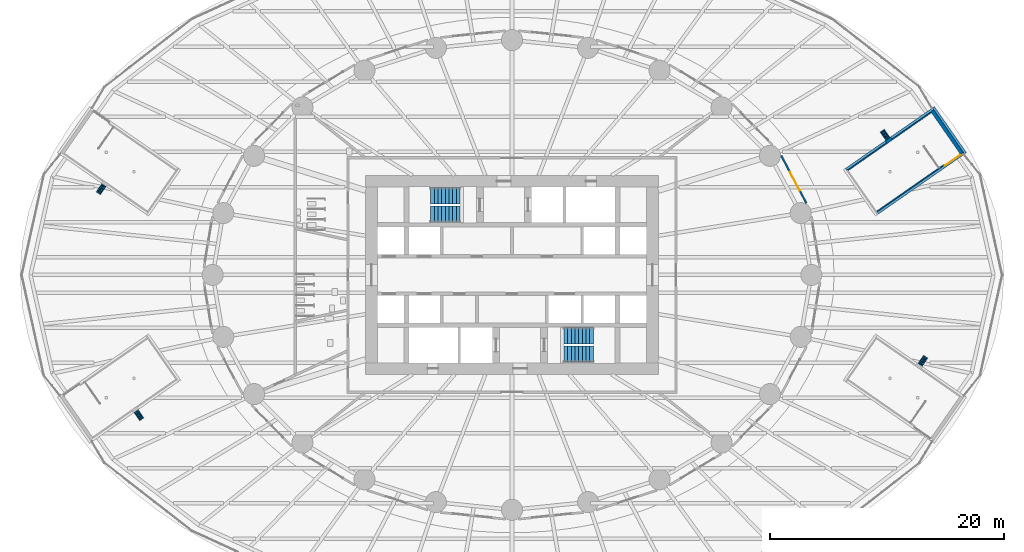
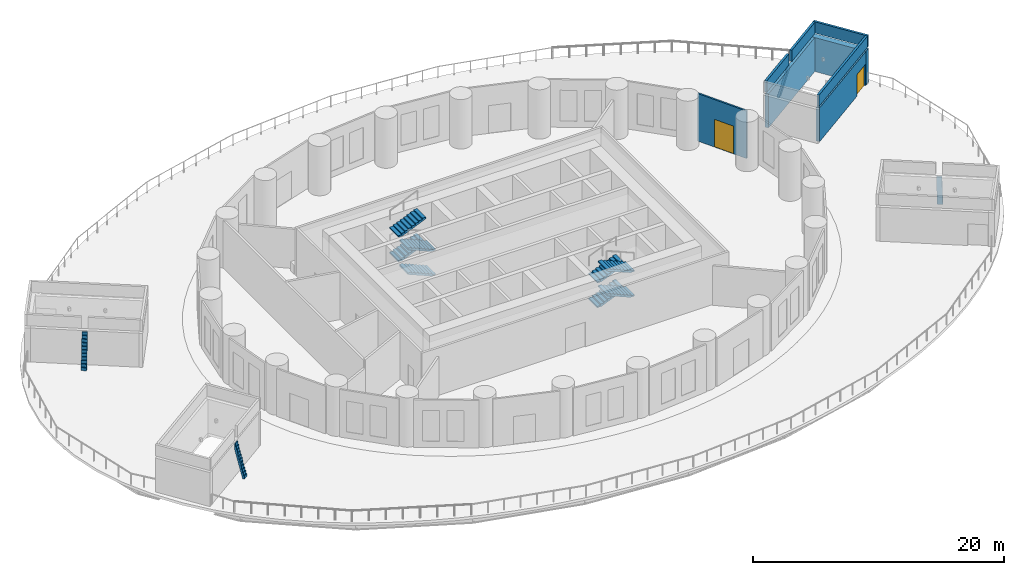
# One storey, part 11 of 17: 12 stair flights, 8 walls, 2 doors, 2 openings, 6 elements without a shape of their own.
"""IFC4 building model written with IfcOpenShell, lengths in metres."""

from ifc_helpers import new_model, si_unit, direction, frame, frame_2d, origin, place, context, subcontext, project, spatial, polyline, rectangle, outline, extrude, material, layer, layer_set, type_object, element, fill, aggregate, save


model = new_model("IFC4")

# Units and contexts
model_context = context("Model", 3, precision=1e-05, world=origin(), true_north=direction((0.0, 1.0)))
body_context = subcontext(model_context, "Body", "Model", "MODEL_VIEW")
ifc_project = project(units=[si_unit("LENGTHUNIT", "METRE"), si_unit("AREAUNIT", "SQUARE_METRE"), si_unit("VOLUMEUNIT", "CUBIC_METRE"), si_unit("PLANEANGLEUNIT", "RADIAN"), si_unit("MASSUNIT", "GRAM", prefix="KILO")], contexts=[model_context])

# Site, building, storey
site_placement = place(None, origin())
site = spatial("IfcSite", under=ifc_project, at=site_placement, CompositionType="ELEMENT")
building_placement = place(site_placement, origin())
building = spatial("IfcBuilding", under=site, at=building_placement, Name="Hankou Lantern Tower", CompositionType="ELEMENT")
storey_placement = place(building_placement, frame((0.0, 0.0, 24.60009765625)))
storey = spatial("IfcBuildingStorey", under=building, at=storey_placement, Name="L04", CompositionType="ELEMENT", Elevation=24.60009765625)

# Wall, opening, door
ifc_material_1 = material(Name="Concrete C50", Category="concrete")
ifc_layer_1 = layer(ifc_material_1, 0.300048828125)
ifc_layer_set_1 = layer_set([ifc_layer_1], Name="Concrete C50")
wall_type_1 = type_object("IfcWallType", Name="CW7 PODIUM STAIR WALL 300", PredefinedType="SHEAR", material=ifc_layer_set_1)
wall_1_placement = place(storey_placement, frame((38.29931640625, 10.273681640625, 0.0), z_axis=(0.0, 0.0, 1.0), x_axis=(-0.820936803751, -0.571019057692, 0.0)))
wall_1 = element("IfcWall", 1, at=wall_1_placement, inside=storey, type_object=wall_type_1, Name="Podium stair P1 wall", PredefinedType="SHEAR", context=body_context, shape_type="SweptSolid", body=[
    extrude(rectangle(XDim=8.66015625, YDim=0.300048828125, at=frame_2d((4.330078125, 0.0))), origin(), (0.0, 0.0, 1.0), 3.2998046875),
])
opening_1_placement = place(wall_1_placement, frame((0.050048828125, 0.0, 0.0)))
opening_1 = element("IfcOpeningElement", 2, at=opening_1_placement, cuts=wall_1, Name="Opening D16", PredefinedType="OPENING", context=body_context, shape_type="SweptSolid", body=[
    extrude(rectangle(XDim=1.60009765625, YDim=2.10009765625, at=frame_2d((0.800048828125, 1.050048828125))), frame((0.0, 0.159912109375, 0.0), z_axis=(0.0, -1.0, 0.0), x_axis=(1.0, 0.0, 0.0)), (0.0, 0.0, 1.0), 0.320068359375),
])
ifc_material_2 = material(Name="Steel door leaf", Category="steel")
door_type_1 = type_object("IfcDoorType", Name="D16 PODIUM STAIR DOOR 1600X2100", OperationType="SINGLE_SWING_LEFT", PredefinedType="DOOR", material=ifc_material_2)
door_1_placement = place(opening_1_placement, origin())
door_1 = element("IfcDoor", 3, at=door_1_placement, inside=storey, type_object=door_type_1, Name="Podium stair P1 door", OperationType="SINGLE_SWING_LEFT", OverallHeight=2.10009765625, OverallWidth=1.60009765625, PredefinedType="DOOR", context=body_context, shape_type="SweptSolid", body=[
    extrude(rectangle(XDim=1.60009765625, YDim=2.10009765625, at=frame_2d((0.800048828125, 1.050048828125))), frame((0.0, 0.02490234375, 0.0), z_axis=(0.0, -1.0, 0.0), x_axis=(1.0, 0.0, 0.0)), (0.0, 0.0, 1.0), 0.050048828125),
])
fill(opening_1, door_1)

# Wall
wall_2_placement = place(storey_placement, frame((35.7294921875, 13.968017578125, 0.0), z_axis=(0.0, 0.0, 1.0), x_axis=(-0.82092761123, -0.571032273274, 0.0)))
element("IfcWall", 4, at=wall_2_placement, inside=storey, type_object=wall_type_1, Name="Podium stair P1 wall", PredefinedType="SHEAR", context=body_context, shape_type="SweptSolid", body=[
    extrude(rectangle(XDim=8.659912109375, YDim=0.300048828125, at=frame_2d((4.330078125, 0.0))), origin(), (0.0, 0.0, 1.0), 3.2998046875),
])

# Wall, opening, door
ifc_material_3 = material(Name="Aluminium spandrel panel on steel studs", Category="steel")
ifc_layer_2 = layer(ifc_material_3, 0.14990234375)
ifc_layer_set_2 = layer_set([ifc_layer_2], Name="Aluminium spandrel panel on steel studs")
wall_type_2 = type_object("IfcWallType", Name="EW1 INNER SKIN WALL 150", PredefinedType="ELEMENTEDWALL", material=ifc_layer_set_2)
wall_3_placement = place(storey_placement, frame((25.138671875, 6.11279296875, 0.0), z_axis=(0.0, 0.0, 1.0), x_axis=(-0.467303182954, 0.884097129959, 0.0)))
wall_3 = element("IfcWall", 5, at=wall_3_placement, inside=storey, type_object=wall_type_2, Name="Inner skin R02-R03 L04", PredefinedType="ELEMENTEDWALL", context=body_context, shape_type="SweptSolid", body=[
    extrude(rectangle(XDim=4.6064453125, YDim=0.14990234375, at=frame_2d((2.30322265625, 0.0))), origin(), (0.0, 0.0, 1.0), 4.619873046875),
])
opening_2_placement = place(wall_3_placement, frame((1.2314453125, 0.0, 0.0)))
opening_2 = element("IfcOpeningElement", 6, at=opening_2_placement, cuts=wall_3, Name="Opening D17", PredefinedType="OPENING", context=body_context, shape_type="SweptSolid", body=[
    extrude(rectangle(XDim=1.800048828125, YDim=2.699951171875, at=frame_2d((0.89990234375, 1.35009765625))), frame((0.0, 0.0849609375, 0.0), z_axis=(0.0, -1.0, 0.0), x_axis=(1.0, 0.0, 0.0)), (0.0, 0.0, 1.0), 0.169921875),
])
ifc_material_4 = material(Name="Aluminium framed glazed door", Category="aluminium")
door_type_2 = type_object("IfcDoorType", Name="D17 TERRACE DOOR 1800X2700", OperationType="DOUBLE_DOOR_DOUBLE_SWING", PredefinedType="DOOR", material=ifc_material_4)
door_2_placement = place(opening_2_placement, origin())
door_2 = element("IfcDoor", 7, at=door_2_placement, inside=storey, type_object=door_type_2, Name="Terrace door R02", OperationType="DOUBLE_DOOR_DOUBLE_SWING", OverallHeight=2.699951171875, OverallWidth=1.800048828125, PredefinedType="DOOR", context=body_context, shape_type="SweptSolid", body=[
    extrude(rectangle(XDim=1.800048828125, YDim=2.699951171875, at=frame_2d((0.89990234375, 1.35009765625))), frame((0.0, 0.02490234375, 0.0), z_axis=(0.0, -1.0, 0.0), x_axis=(1.0, 0.0, 0.0)), (0.0, 0.0, 1.0), 0.050048828125),
])
fill(opening_2, door_2)

# Walls
ifc_material_5 = material(Name="Granite cladding on reinforced concrete C50", Category="masonry")
ifc_layer_3 = layer(ifc_material_5, 0.5)
ifc_layer_set_3 = layer_set([ifc_layer_3], Name="Granite cladding on reinforced concrete C50")
wall_type_3 = type_object("IfcWallType", Name="EW2 STONE PORTAL WALL 500", PredefinedType="SOLIDWALL", material=ifc_layer_set_3)
wall_4_placement = place(storey_placement, frame((38.590087890625, 10.29345703125, 0.0), z_axis=(0.0, 0.0, 1.0), x_axis=(-0.571036173178, 0.820924898467, 0.0)))
element("IfcWall", 8, at=wall_4_placement, inside=storey, type_object=wall_type_3, Name="Podium stair P1 head-house", PredefinedType="SOLIDWALL", context=body_context, shape_type="SweptSolid", body=[
    extrude(rectangle(XDim=4.800048828125, YDim=0.5, at=frame_2d((2.39990234375, 0.0))), origin(), (0.0, 0.0, 1.0), 3.2998046875),
])
ifc_material_6 = material(Name="Precast concrete C40 spandrel", Category="concrete")
ifc_layer_4 = layer(ifc_material_6, 0.199951171875)
ifc_layer_set_4 = layer_set([ifc_layer_4], Name="Precast concrete C40 spandrel")
wall_type_4 = type_object("IfcWallType", Name="EW3 SPANDREL WALL 200", PredefinedType="PARAPET", material=ifc_layer_set_4)
wall_5_placement = place(storey_placement, frame((38.713134765625, 10.379150390625, 3.5), z_axis=(0.0, 0.0, 1.0), x_axis=(-0.571036173178, 0.820924898467, 0.0)))
element("IfcWall", 9, at=wall_5_placement, inside=storey, type_object=wall_type_4, Name="Podium stair P1 head-house roof parapet", PredefinedType="PARAPET", context=body_context, shape_type="SweptSolid", body=[
    extrude(rectangle(XDim=4.800048828125, YDim=0.199951171875, at=frame_2d((2.39990234375, 0.0))), origin(), (0.0, 0.0, 1.0), 1.099853515625),
])
wall_6_placement = place(storey_placement, frame((35.947265625, 14.180419921875, 3.5), z_axis=(0.0, 0.0, 1.0), x_axis=(-0.820934908624, -0.571021782248, 0.0)))
element("IfcWall", 10, at=wall_6_placement, inside=storey, type_object=wall_type_4, Name="Podium stair P1 head-house roof parapet", PredefinedType="PARAPET", context=body_context, shape_type="SweptSolid", body=[
    extrude(rectangle(XDim=4.35498046875, YDim=0.199951171875, at=frame_2d((2.177490234375, 0.0))), origin(), (0.0, 0.0, 1.0), 1.099853515625),
])
wall_7_placement = place(storey_placement, frame((31.920654296875, 11.37939453125, 3.5), z_axis=(0.0, 0.0, 1.0), x_axis=(-0.820931549203, -0.571026611922, 0.0)))
element("IfcWall", 11, at=wall_7_placement, inside=storey, type_object=wall_type_4, Name="Podium stair P1 head-house roof parapet", PredefinedType="PARAPET", context=body_context, shape_type="SweptSolid", body=[
    extrude(rectangle(XDim=4.15478515625, YDim=0.199951171875, at=frame_2d((2.077392578125, 0.0))), origin(), (0.0, 0.0, 1.0), 1.099853515625),
])
wall_8_placement = place(storey_placement, frame((31.136474609375, 5.23046875, 3.5), z_axis=(0.0, 0.0, 1.0), x_axis=(0.820922227988, 0.571040012254, 0.0)))
element("IfcWall", 12, at=wall_8_placement, inside=storey, type_object=wall_type_4, Name="Podium stair P1 head-house roof parapet", PredefinedType="PARAPET", context=body_context, shape_type="SweptSolid", body=[
    extrude(rectangle(XDim=9.059814453125, YDim=0.199951171875, at=frame_2d((4.52978515625, 0.0))), origin(), (0.0, 0.0, 1.0), 1.099853515625),
])

# Stair, stair flights
ifc_material_7 = material(Name="Concrete C40", Category="concrete")
stair_type_1 = type_object("IfcStairType", Name="ST48 CORE STAIR 4800 RISE", PredefinedType="HALF_TURN_STAIR", material=ifc_material_7)
stair_1_placement = place(storey_placement, origin())
stair_1 = element("IfcStair", 13, at=stair_1_placement, inside=storey, type_object=stair_type_1, Name="Stair STA L04", PredefinedType="HALF_TURN_STAIR")
ifc_material_8 = material(Name="Concrete C40", Category="concrete")
stair_flight_type_1 = type_object("IfcStairFlightType", Name="CF9 CORE STAIR FLIGHT 1400 X 9 RISERS", PredefinedType="STRAIGHT", material=ifc_material_8)
stair_flight_1_placement = place(storey_placement, frame((-4.429931640625, 5.199951171875, 0.0), z_axis=(0.0, 0.0, 1.0), x_axis=(-1.0, 0.0, 0.0)))
stair_flight_1 = element("IfcStairFlight", 14, at=stair_flight_1_placement, type_object=stair_flight_type_1, Name="STA flight 1", NumberOfRisers=9, NumberOfTreads=8, PredefinedType="STRAIGHT", RiserHeight=0.133333333, TreadLength=0.315, context=body_context, shape_type="SweptSolid", body=[
    extrude(outline(polyline([(0.0, 0.0), (0.0, 0.13330078125), (0.31494140625, 0.13330078125), (0.31494140625, 0.2666015625), (0.6298828125, 0.2666015625), (0.6298828125, 0.39990234375), (0.945068359375, 0.39990234375), (0.945068359375, 0.533447265625), (1.260009765625, 0.533447265625), (1.260009765625, 0.666748046875), (1.574951171875, 0.666748046875), (1.574951171875, 0.800048828125), (1.889892578125, 0.800048828125), (1.889892578125, 0.933349609375), (2.205078125, 0.933349609375), (2.205078125, 1.066650390625), (2.52001953125, 1.066650390625), (2.52001953125, 1.199951171875), (2.52001953125, 0.90380859375), (0.384521484375, 0.0), (0.0, 0.0)])), frame((0.0, 0.699951171875, 0.0), z_axis=(0.0, -1.0, 0.0), x_axis=(1.0, 0.0, 0.0)), (0.0, 0.0, 1.0), 1.39990234375),
])
stair_flight_2_placement = place(storey_placement, frame((-6.949951171875, 6.75, 1.199951171875), z_axis=(0.0, 0.0, 1.0), x_axis=(1.0, 0.0, 0.0)))
stair_flight_2 = element("IfcStairFlight", 15, at=stair_flight_2_placement, type_object=stair_flight_type_1, Name="STA flight 2", NumberOfRisers=9, NumberOfTreads=8, PredefinedType="STRAIGHT", RiserHeight=0.133333333, TreadLength=0.315, context=body_context, shape_type="SweptSolid", body=[
    extrude(outline(polyline([(0.0, 0.0), (0.0, 0.13330078125), (0.31494140625, 0.13330078125), (0.31494140625, 0.2666015625), (0.6298828125, 0.2666015625), (0.6298828125, 0.39990234375), (0.945068359375, 0.39990234375), (0.945068359375, 0.533447265625), (1.260009765625, 0.533447265625), (1.260009765625, 0.666748046875), (1.574951171875, 0.666748046875), (1.574951171875, 0.800048828125), (1.889892578125, 0.800048828125), (1.889892578125, 0.933349609375), (2.205078125, 0.933349609375), (2.205078125, 1.066650390625), (2.52001953125, 1.066650390625), (2.52001953125, 1.199951171875), (2.52001953125, 0.90380859375), (0.384521484375, 0.0), (0.0, 0.0)])), frame((0.0, 0.699951171875, 0.0), z_axis=(0.0, -1.0, 0.0), x_axis=(1.0, 0.0, 0.0)), (0.0, 0.0, 1.0), 1.39990234375),
])
stair_flight_3_placement = place(storey_placement, frame((-4.429931640625, 5.199951171875, 2.39990234375), z_axis=(0.0, 0.0, 1.0), x_axis=(-1.0, 0.0, 0.0)))
stair_flight_3 = element("IfcStairFlight", 16, at=stair_flight_3_placement, type_object=stair_flight_type_1, Name="STA flight 3", NumberOfRisers=9, NumberOfTreads=8, PredefinedType="STRAIGHT", RiserHeight=0.133333333, TreadLength=0.315, context=body_context, shape_type="SweptSolid", body=[
    extrude(outline(polyline([(0.0, 0.0), (0.0, 0.13330078125), (0.31494140625, 0.13330078125), (0.31494140625, 0.2666015625), (0.6298828125, 0.2666015625), (0.6298828125, 0.39990234375), (0.945068359375, 0.39990234375), (0.945068359375, 0.533447265625), (1.260009765625, 0.533447265625), (1.260009765625, 0.666748046875), (1.574951171875, 0.666748046875), (1.574951171875, 0.800048828125), (1.889892578125, 0.800048828125), (1.889892578125, 0.933349609375), (2.205078125, 0.933349609375), (2.205078125, 1.066650390625), (2.52001953125, 1.066650390625), (2.52001953125, 1.199951171875), (2.52001953125, 0.90380859375), (0.384521484375, 0.0), (0.0, 0.0)])), frame((0.0, 0.699951171875, 0.0), z_axis=(0.0, -1.0, 0.0), x_axis=(1.0, 0.0, 0.0)), (0.0, 0.0, 1.0), 1.39990234375),
])
stair_flight_4_placement = place(storey_placement, frame((-6.949951171875, 6.75, 3.599853515625), z_axis=(0.0, 0.0, 1.0), x_axis=(1.0, 0.0, 0.0)))
stair_flight_4 = element("IfcStairFlight", 17, at=stair_flight_4_placement, type_object=stair_flight_type_1, Name="STA flight 4", NumberOfRisers=9, NumberOfTreads=8, PredefinedType="STRAIGHT", RiserHeight=0.133333333, TreadLength=0.315, context=body_context, shape_type="SweptSolid", body=[
    extrude(outline(polyline([(0.0, 0.0), (0.0, 0.13330078125), (0.31494140625, 0.13330078125), (0.31494140625, 0.2666015625), (0.6298828125, 0.2666015625), (0.6298828125, 0.39990234375), (0.945068359375, 0.39990234375), (0.945068359375, 0.533447265625), (1.260009765625, 0.533447265625), (1.260009765625, 0.666748046875), (1.574951171875, 0.666748046875), (1.574951171875, 0.800048828125), (1.889892578125, 0.800048828125), (1.889892578125, 0.933349609375), (2.205078125, 0.933349609375), (2.205078125, 1.066650390625), (2.52001953125, 1.066650390625), (2.52001953125, 1.199951171875), (2.52001953125, 0.90380859375), (0.384521484375, 0.0), (0.0, 0.0)])), frame((0.0, 0.699951171875, 0.0), z_axis=(0.0, -1.0, 0.0), x_axis=(1.0, 0.0, 0.0)), (0.0, 0.0, 1.0), 1.39990234375),
])
aggregate(stair_1, [stair_flight_1, stair_flight_2, stair_flight_3, stair_flight_4])

stair_2_placement = place(storey_placement, origin())
stair_2 = element("IfcStair", 18, at=stair_2_placement, inside=storey, type_object=stair_type_1, Name="Stair STB L04", PredefinedType="HALF_TURN_STAIR")
stair_flight_5_placement = place(storey_placement, frame((4.429931640625, -5.199951171875, 0.0), z_axis=(0.0, 0.0, 1.0), x_axis=(1.0, 0.0, 0.0)))
stair_flight_5 = element("IfcStairFlight", 19, at=stair_flight_5_placement, type_object=stair_flight_type_1, Name="STB flight 1", NumberOfRisers=9, NumberOfTreads=8, PredefinedType="STRAIGHT", RiserHeight=0.133333333, TreadLength=0.315, context=body_context, shape_type="SweptSolid", body=[
    extrude(outline(polyline([(0.0, 0.0), (0.0, 0.13330078125), (0.31494140625, 0.13330078125), (0.31494140625, 0.2666015625), (0.6298828125, 0.2666015625), (0.6298828125, 0.39990234375), (0.945068359375, 0.39990234375), (0.945068359375, 0.533447265625), (1.260009765625, 0.533447265625), (1.260009765625, 0.666748046875), (1.574951171875, 0.666748046875), (1.574951171875, 0.800048828125), (1.889892578125, 0.800048828125), (1.889892578125, 0.933349609375), (2.205078125, 0.933349609375), (2.205078125, 1.066650390625), (2.52001953125, 1.066650390625), (2.52001953125, 1.199951171875), (2.52001953125, 0.90380859375), (0.384521484375, 0.0), (0.0, 0.0)])), frame((0.0, 0.699951171875, 0.0), z_axis=(0.0, -1.0, 0.0), x_axis=(1.0, 0.0, 0.0)), (0.0, 0.0, 1.0), 1.39990234375),
])
stair_flight_6_placement = place(storey_placement, frame((6.949951171875, -6.75, 1.199951171875), z_axis=(0.0, 0.0, 1.0), x_axis=(-1.0, 0.0, 0.0)))
stair_flight_6 = element("IfcStairFlight", 20, at=stair_flight_6_placement, type_object=stair_flight_type_1, Name="STB flight 2", NumberOfRisers=9, NumberOfTreads=8, PredefinedType="STRAIGHT", RiserHeight=0.133333333, TreadLength=0.315, context=body_context, shape_type="SweptSolid", body=[
    extrude(outline(polyline([(0.0, 0.0), (0.0, 0.13330078125), (0.31494140625, 0.13330078125), (0.31494140625, 0.2666015625), (0.6298828125, 0.2666015625), (0.6298828125, 0.39990234375), (0.945068359375, 0.39990234375), (0.945068359375, 0.533447265625), (1.260009765625, 0.533447265625), (1.260009765625, 0.666748046875), (1.574951171875, 0.666748046875), (1.574951171875, 0.800048828125), (1.889892578125, 0.800048828125), (1.889892578125, 0.933349609375), (2.205078125, 0.933349609375), (2.205078125, 1.066650390625), (2.52001953125, 1.066650390625), (2.52001953125, 1.199951171875), (2.52001953125, 0.90380859375), (0.384521484375, 0.0), (0.0, 0.0)])), frame((0.0, 0.699951171875, 0.0), z_axis=(0.0, -1.0, 0.0), x_axis=(1.0, 0.0, 0.0)), (0.0, 0.0, 1.0), 1.39990234375),
])
stair_flight_7_placement = place(storey_placement, frame((4.429931640625, -5.199951171875, 2.39990234375), z_axis=(0.0, 0.0, 1.0), x_axis=(1.0, 0.0, 0.0)))
stair_flight_7 = element("IfcStairFlight", 21, at=stair_flight_7_placement, type_object=stair_flight_type_1, Name="STB flight 3", NumberOfRisers=9, NumberOfTreads=8, PredefinedType="STRAIGHT", RiserHeight=0.133333333, TreadLength=0.315, context=body_context, shape_type="SweptSolid", body=[
    extrude(outline(polyline([(0.0, 0.0), (0.0, 0.13330078125), (0.31494140625, 0.13330078125), (0.31494140625, 0.2666015625), (0.6298828125, 0.2666015625), (0.6298828125, 0.39990234375), (0.945068359375, 0.39990234375), (0.945068359375, 0.533447265625), (1.260009765625, 0.533447265625), (1.260009765625, 0.666748046875), (1.574951171875, 0.666748046875), (1.574951171875, 0.800048828125), (1.889892578125, 0.800048828125), (1.889892578125, 0.933349609375), (2.205078125, 0.933349609375), (2.205078125, 1.066650390625), (2.52001953125, 1.066650390625), (2.52001953125, 1.199951171875), (2.52001953125, 0.90380859375), (0.384521484375, 0.0), (0.0, 0.0)])), frame((0.0, 0.699951171875, 0.0), z_axis=(0.0, -1.0, 0.0), x_axis=(1.0, 0.0, 0.0)), (0.0, 0.0, 1.0), 1.39990234375),
])
stair_flight_8_placement = place(storey_placement, frame((6.949951171875, -6.75, 3.599853515625), z_axis=(0.0, 0.0, 1.0), x_axis=(-1.0, 0.0, 0.0)))
stair_flight_8 = element("IfcStairFlight", 22, at=stair_flight_8_placement, type_object=stair_flight_type_1, Name="STB flight 4", NumberOfRisers=9, NumberOfTreads=8, PredefinedType="STRAIGHT", RiserHeight=0.133333333, TreadLength=0.315, context=body_context, shape_type="SweptSolid", body=[
    extrude(outline(polyline([(0.0, 0.0), (0.0, 0.13330078125), (0.31494140625, 0.13330078125), (0.31494140625, 0.2666015625), (0.6298828125, 0.2666015625), (0.6298828125, 0.39990234375), (0.945068359375, 0.39990234375), (0.945068359375, 0.533447265625), (1.260009765625, 0.533447265625), (1.260009765625, 0.666748046875), (1.574951171875, 0.666748046875), (1.574951171875, 0.800048828125), (1.889892578125, 0.800048828125), (1.889892578125, 0.933349609375), (2.205078125, 0.933349609375), (2.205078125, 1.066650390625), (2.52001953125, 1.066650390625), (2.52001953125, 1.199951171875), (2.52001953125, 0.90380859375), (0.384521484375, 0.0), (0.0, 0.0)])), frame((0.0, 0.699951171875, 0.0), z_axis=(0.0, -1.0, 0.0), x_axis=(1.0, 0.0, 0.0)), (0.0, 0.0, 1.0), 1.39990234375),
])
aggregate(stair_2, [stair_flight_5, stair_flight_6, stair_flight_7, stair_flight_8])

# Stair, stair flight
ifc_material_9 = material(Name="Steel Q355B (S355)", Category="steel")
stair_type_2 = type_object("IfcStairType", Name="AL1 CAGED STEEL ACCESS LADDER 450 WIDE 3500 RISE", PredefinedType="USERDEFINED", material=ifc_material_9)
stair_3_placement = place(storey_placement, origin())
stair_3 = element("IfcStair", 23, at=stair_3_placement, inside=storey, type_object=stair_type_2, Name="Caged steel access ladder LA1 to the stair P1 head-house roof, lockable gate at its foot", ObjectType="LADDER", PredefinedType="USERDEFINED")
ifc_material_10 = material(Name="Steel Q355B (S355)", Category="steel")
stair_flight_type_2 = type_object("IfcStairFlightType", Name="LF1 ACCESS LADDER FLIGHT 450 X 12 RUNGS", PredefinedType="USERDEFINED", material=ifc_material_10)
stair_flight_9_placement = place(storey_placement, frame((31.598876953125, 12.323486328125, 0.0), z_axis=(0.0, 0.0, 1.0), x_axis=(0.571032631507, -0.820927362045, 0.0)))
stair_flight_9 = element("IfcStairFlight", 24, at=stair_flight_9_placement, type_object=stair_flight_type_2, Name="Access ladder LA1 rungs", ObjectType="LADDER", NumberOfRisers=12, NumberOfTreads=11, PredefinedType="USERDEFINED", RiserHeight=0.291666667, TreadLength=0.078151848, context=body_context, shape_type="SweptSolid", body=[
    extrude(outline(polyline([(0.0, 0.0), (0.0, 0.291748046875), (0.078125, 0.291748046875), (0.078125, 0.583251953125), (0.15625, 0.583251953125), (0.15625, 0.875), (0.234375, 0.875), (0.234375, 1.166748046875), (0.3125, 1.166748046875), (0.3125, 1.458251953125), (0.390869140625, 1.458251953125), (0.390869140625, 1.75), (0.468994140625, 1.75), (0.468994140625, 2.041748046875), (0.547119140625, 2.041748046875), (0.547119140625, 2.333251953125), (0.625244140625, 2.333251953125), (0.625244140625, 2.625), (0.703369140625, 2.625), (0.703369140625, 2.916748046875), (0.781494140625, 2.916748046875), (0.781494140625, 3.208251953125), (0.859619140625, 3.208251953125), (0.859619140625, 3.5), (0.859619140625, 2.629150390625), (0.1552734375, 0.0), (0.0, 0.0)])), frame((0.0, 0.22509765625, 0.0), z_axis=(0.0, -1.0, 0.0), x_axis=(1.0, 0.0, 0.0)), (0.0, 0.0, 1.0), 0.449951171875),
])
aggregate(stair_3, [stair_flight_9])

stair_4_placement = place(storey_placement, origin())
stair_4 = element("IfcStair", 25, at=stair_4_placement, inside=storey, type_object=stair_type_2, Name="Caged steel access ladder LA2 to the stair P2 head-house roof, lockable gate at its foot", ObjectType="LADDER", PredefinedType="USERDEFINED")
stair_flight_10_placement = place(storey_placement, frame((-35.320556640625, 6.97314453125, 0.0), z_axis=(0.0, 0.0, 1.0), x_axis=(0.571032631507, 0.820927362045, 0.0)))
stair_flight_10 = element("IfcStairFlight", 26, at=stair_flight_10_placement, type_object=stair_flight_type_2, Name="Access ladder LA2 rungs", ObjectType="LADDER", NumberOfRisers=12, NumberOfTreads=11, PredefinedType="USERDEFINED", RiserHeight=0.291666667, TreadLength=0.078151848, context=body_context, shape_type="SweptSolid", body=[
    extrude(outline(polyline([(0.0, 0.0), (0.0, 0.291748046875), (0.078125, 0.291748046875), (0.078125, 0.583251953125), (0.15625, 0.583251953125), (0.15625, 0.875), (0.234375, 0.875), (0.234375, 1.166748046875), (0.3125, 1.166748046875), (0.3125, 1.458251953125), (0.390869140625, 1.458251953125), (0.390869140625, 1.75), (0.468994140625, 1.75), (0.468994140625, 2.041748046875), (0.547119140625, 2.041748046875), (0.547119140625, 2.333251953125), (0.625244140625, 2.333251953125), (0.625244140625, 2.625), (0.703369140625, 2.625), (0.703369140625, 2.916748046875), (0.781494140625, 2.916748046875), (0.781494140625, 3.208251953125), (0.859619140625, 3.208251953125), (0.859619140625, 3.5), (0.859619140625, 2.629150390625), (0.1552734375, 0.0), (0.0, 0.0)])), frame((0.0, 0.22509765625, 0.0), z_axis=(0.0, -1.0, 0.0), x_axis=(1.0, 0.0, 0.0)), (0.0, 0.0, 1.0), 0.449951171875),
])
aggregate(stair_4, [stair_flight_10])

stair_5_placement = place(storey_placement, origin())
stair_5 = element("IfcStair", 27, at=stair_5_placement, inside=storey, type_object=stair_type_2, Name="Caged steel access ladder LA3 to the stair P3 head-house roof, lockable gate at its foot", ObjectType="LADDER", PredefinedType="USERDEFINED")
stair_flight_11_placement = place(storey_placement, frame((-31.598876953125, -12.323486328125, 0.0), z_axis=(0.0, 0.0, 1.0), x_axis=(-0.571032631507, 0.820927362045, 0.0)))
stair_flight_11 = element("IfcStairFlight", 28, at=stair_flight_11_placement, type_object=stair_flight_type_2, Name="Access ladder LA3 rungs", ObjectType="LADDER", NumberOfRisers=12, NumberOfTreads=11, PredefinedType="USERDEFINED", RiserHeight=0.291666667, TreadLength=0.078151848, context=body_context, shape_type="SweptSolid", body=[
    extrude(outline(polyline([(0.0, 0.0), (0.0, 0.291748046875), (0.078125, 0.291748046875), (0.078125, 0.583251953125), (0.15625, 0.583251953125), (0.15625, 0.875), (0.234375, 0.875), (0.234375, 1.166748046875), (0.3125, 1.166748046875), (0.3125, 1.458251953125), (0.390869140625, 1.458251953125), (0.390869140625, 1.75), (0.468994140625, 1.75), (0.468994140625, 2.041748046875), (0.547119140625, 2.041748046875), (0.547119140625, 2.333251953125), (0.625244140625, 2.333251953125), (0.625244140625, 2.625), (0.703369140625, 2.625), (0.703369140625, 2.916748046875), (0.781494140625, 2.916748046875), (0.781494140625, 3.208251953125), (0.859619140625, 3.208251953125), (0.859619140625, 3.5), (0.859619140625, 2.629150390625), (0.1552734375, 0.0), (0.0, 0.0)])), frame((0.0, 0.22509765625, 0.0), z_axis=(0.0, -1.0, 0.0), x_axis=(1.0, 0.0, 0.0)), (0.0, 0.0, 1.0), 0.449951171875),
])
aggregate(stair_5, [stair_flight_11])

stair_6_placement = place(storey_placement, origin())
stair_6 = element("IfcStair", 29, at=stair_6_placement, inside=storey, type_object=stair_type_2, Name="Caged steel access ladder LA4 to the stair P4 head-house roof, lockable gate at its foot", ObjectType="LADDER", PredefinedType="USERDEFINED")
stair_flight_12_placement = place(storey_placement, frame((35.320556640625, -6.97314453125, 0.0), z_axis=(0.0, 0.0, 1.0), x_axis=(-0.571032631507, -0.820927362045, 0.0)))
stair_flight_12 = element("IfcStairFlight", 30, at=stair_flight_12_placement, type_object=stair_flight_type_2, Name="Access ladder LA4 rungs", ObjectType="LADDER", NumberOfRisers=12, NumberOfTreads=11, PredefinedType="USERDEFINED", RiserHeight=0.291666667, TreadLength=0.078151848, context=body_context, shape_type="SweptSolid", body=[
    extrude(outline(polyline([(0.0, 0.0), (0.0, 0.291748046875), (0.078125, 0.291748046875), (0.078125, 0.583251953125), (0.15625, 0.583251953125), (0.15625, 0.875), (0.234375, 0.875), (0.234375, 1.166748046875), (0.3125, 1.166748046875), (0.3125, 1.458251953125), (0.390869140625, 1.458251953125), (0.390869140625, 1.75), (0.468994140625, 1.75), (0.468994140625, 2.041748046875), (0.547119140625, 2.041748046875), (0.547119140625, 2.333251953125), (0.625244140625, 2.333251953125), (0.625244140625, 2.625), (0.703369140625, 2.625), (0.703369140625, 2.916748046875), (0.781494140625, 2.916748046875), (0.781494140625, 3.208251953125), (0.859619140625, 3.208251953125), (0.859619140625, 3.5), (0.859619140625, 2.629150390625), (0.1552734375, 0.0), (0.0, 0.0)])), frame((0.0, 0.22509765625, 0.0), z_axis=(0.0, -1.0, 0.0), x_axis=(1.0, 0.0, 0.0)), (0.0, 0.0, 1.0), 0.449951171875),
])
aggregate(stair_6, [stair_flight_12])

save(model, "model.ifc")
